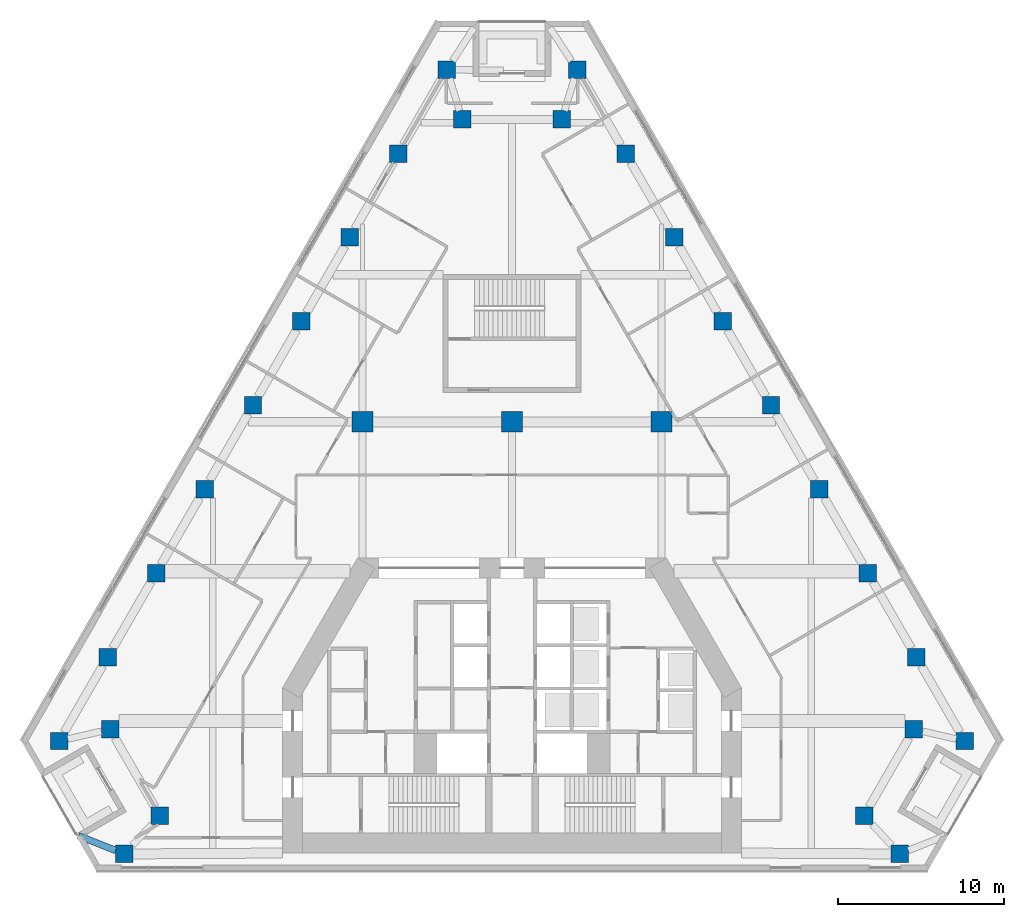
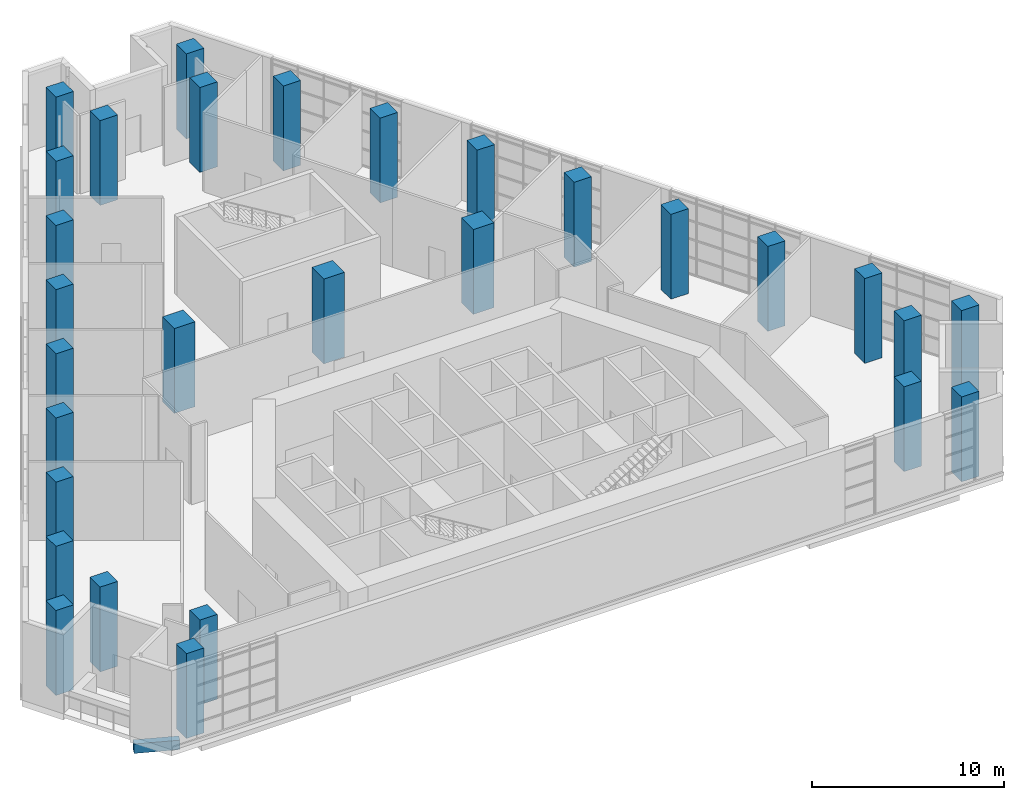
# One storey, part 1 of 18: 29 columns, 1 beam.
"""IFC4 building model written with IfcOpenShell, lengths in metres."""

from ifc_helpers import new_model, si_unit, direction, frame, origin, origin_2d, place, context, subcontext, project, spatial, rectangle, extrude, material, material_profile, profile_set, type_object, element, save


model = new_model("IFC4")

# Units and contexts
model_context = context("Model", 3, precision=1e-05, world=origin(), true_north=direction((0.0, 1.0)))
body_context = subcontext(model_context, "Body", "Model", "MODEL_VIEW")
ifc_project = project(units=[si_unit("LENGTHUNIT", "METRE"), si_unit("AREAUNIT", "SQUARE_METRE"), si_unit("VOLUMEUNIT", "CUBIC_METRE"), si_unit("PLANEANGLEUNIT", "RADIAN"), si_unit("MASSUNIT", "GRAM", prefix="KILO")], contexts=[model_context])

# Site, building, storey
site_placement = place(None, origin())
site = spatial("IfcSite", under=ifc_project, at=site_placement, CompositionType="ELEMENT")
building_placement = place(site_placement, origin())
building = spatial("IfcBuilding", under=site, at=building_placement, Name="Fogline Exchange Tower", CompositionType="ELEMENT")
storey_placement = place(building_placement, frame((0.0, 0.0, 137.5)))
storey = spatial("IfcBuildingStorey", under=building, at=storey_placement, Name="L30", CompositionType="ELEMENT", Elevation=137.5)

# Columns
ifc_material_1 = material(Name="Concrete C70", Category="concrete")
ifc_material_profile_1 = material_profile(ifc_material_1, rectangle(XDim=1.25, YDim=1.25, at=origin_2d()), Name="RC 1250x1250")
ifc_profile_set_1 = profile_set([ifc_material_profile_1], Name="Concrete C70")
column_type_1 = type_object("IfcColumnType", Name="C03", PredefinedType="COLUMN", material=ifc_profile_set_1)
for number, where, z_axis, x_axis, name in (
    (1, (-9.0, 27.0, 0.0), (0.0, 0.0, 1.0), (1.0, 0.0, 0.0), "IC--9-27"),
    (2, (0.0, 27.0, 0.0), (0.0, 0.0, 1.0), (1.0, 0.0, 0.0), "IC-0-27"),
    (3, (9.0, 27.0, 0.0), (0.0, 0.0, 1.0), (1.0, 0.0, 0.0), "IC-9-27"),
):
    element("IfcColumn", number, at=place(storey_placement, frame(where, z_axis=z_axis, x_axis=x_axis)), inside=storey, type_object=column_type_1, Name=name, PredefinedType="COLUMN", context=body_context, shape_type="SweptSolid", body=[
        extrude(rectangle(XDim=1.25, YDim=1.25, at=origin_2d()), origin(), (0.0, 0.0, 1.0), 5.39990234375),
    ])
ifc_material_profile_2 = material_profile(ifc_material_1, rectangle(XDim=1.050048828125, YDim=1.050048828125, at=origin_2d()), Name="RC 1050x1050")
ifc_profile_set_2 = profile_set([ifc_material_profile_2], Name="Concrete C70")
column_type_2 = type_object("IfcColumnType", Name="C04", PredefinedType="COLUMN", material=ifc_profile_set_2)
for number, where, z_axis, x_axis, name in (
    (4, (-27.2490234375, 7.794189453125, 0.0), (0.0, 0.0, 1.0), (1.0, 0.0, 0.0), "SW-a"),
    (5, (-24.189697265625, 8.4951171875, 0.0), (0.0, 0.0, 1.0), (1.0, 0.0, 0.0), "SW-p4"),
    (6, (-21.189697265625, 3.299072265625, 0.0), (0.0, 0.0, 1.0), (1.0, 0.0, 0.0), "SW-p3"),
    (7, (-23.326416015625, 1.0, 0.0), (0.0, 0.0, 1.0), (1.0, 0.0, 0.0), "SW-b"),
    (8, (23.326416015625, 1.0, 0.0), (0.0, 0.0, 1.0), (1.0, 0.0, 0.0), "SE-a"),
    (9, (21.189697265625, 3.299072265625, 0.0), (0.0, 0.0, 1.0), (1.0, 0.0, 0.0), "SE-p4"),
    (10, (24.189697265625, 8.4951171875, 0.0), (0.0, 0.0, 1.0), (1.0, 0.0, 0.0), "SE-p3"),
    (11, (27.2490234375, 7.794189453125, 0.0), (0.0, 0.0, 1.0), (1.0, 0.0, 0.0), "SE-b"),
    (12, (24.333251953125, 12.844482421875, 0.0), (0.0, 0.0, 1.0), (1.0, 0.0, 0.0), "E1"),
    (13, (21.41748046875, 17.894775390625, 0.0), (0.0, 0.0, 1.0), (1.0, 0.0, 0.0), "E2"),
    (14, (18.501708984375, 22.945068359375, 0.0), (0.0, 0.0, 1.0), (1.0, 0.0, 0.0), "E3"),
    (15, (15.585693359375, 27.995361328125, 0.0), (0.0, 0.0, 1.0), (1.0, 0.0, 0.0), "E4"),
    (16, (12.669921875, 33.045654296875, 0.0), (0.0, 0.0, 1.0), (1.0, 0.0, 0.0), "E5"),
    (17, (9.754150390625, 38.095947265625, 0.0), (0.0, 0.0, 1.0), (1.0, 0.0, 0.0), "E6"),
    (18, (6.83837890625, 43.146240234375, 0.0), (0.0, 0.0, 1.0), (1.0, 0.0, 0.0), "E7"),
    (19, (3.922607421875, 48.19677734375, 0.0), (0.0, 0.0, 1.0), (1.0, 0.0, 0.0), "N-a"),
    (20, (3.0, 45.19677734375, 0.0), (0.0, 0.0, 1.0), (1.0, 0.0, 0.0), "N-p4"),
    (21, (-3.0, 45.19677734375, 0.0), (0.0, 0.0, 1.0), (1.0, 0.0, 0.0), "N-p3"),
    (22, (-3.922607421875, 48.19677734375, 0.0), (0.0, 0.0, 1.0), (1.0, 0.0, 0.0), "N-b"),
    (23, (-6.83837890625, 43.146240234375, 0.0), (0.0, 0.0, 1.0), (1.0, 0.0, 0.0), "W1"),
    (24, (-9.754150390625, 38.095947265625, 0.0), (0.0, 0.0, 1.0), (1.0, 0.0, 0.0), "W2"),
    (25, (-12.669921875, 33.045654296875, 0.0), (0.0, 0.0, 1.0), (1.0, 0.0, 0.0), "W3"),
    (26, (-15.585693359375, 27.995361328125, 0.0), (0.0, 0.0, 1.0), (1.0, 0.0, 0.0), "W4"),
    (27, (-18.501708984375, 22.945068359375, 0.0), (0.0, 0.0, 1.0), (1.0, 0.0, 0.0), "W5"),
    (28, (-21.41748046875, 17.894775390625, 0.0), (0.0, 0.0, 1.0), (1.0, 0.0, 0.0), "W6"),
    (29, (-24.333251953125, 12.844482421875, 0.0), (0.0, 0.0, 1.0), (1.0, 0.0, 0.0), "W7"),
):
    element("IfcColumn", number, at=place(storey_placement, frame(where, z_axis=z_axis, x_axis=x_axis)), inside=storey, type_object=column_type_2, Name=name, PredefinedType="COLUMN", context=body_context, shape_type="SweptSolid", body=[
        extrude(rectangle(XDim=1.050048828125, YDim=1.050048828125, at=origin_2d()), origin(), (0.0, 0.0, 1.0), 5.39990234375),
    ])

# Beam
ifc_material_2 = material(Name="Concrete C40", Category="concrete")
ifc_material_profile_3 = material_profile(ifc_material_2, rectangle(XDim=0.39990234375, YDim=0.60009765625, at=origin_2d()), Name="RC 400x600")
ifc_profile_set_3 = profile_set([ifc_material_profile_3], Name="Concrete C40")
beam_type = type_object("IfcBeamType", Name="B11", PredefinedType="BEAM", material=ifc_profile_set_3)
beam_placement = place(storey_placement, frame((-23.851318359375, 1.206787109375, -0.699951171875), z_axis=(-0.930440844146, 0.366442131236, 0.0), x_axis=(-0.366442131236, -0.930440844146, 0.0)))
element("IfcBeam", 30, at=beam_placement, inside=storey, type_object=beam_type, Name="SP031", PredefinedType="BEAM", context=body_context, shape_type="SweptSolid", body=[
    extrude(rectangle(XDim=0.39990234375, YDim=0.60009765625, at=origin_2d()), origin(), (0.0, 0.0, 1.0), 2.409912109375),
])

save(model, "model.ifc")
